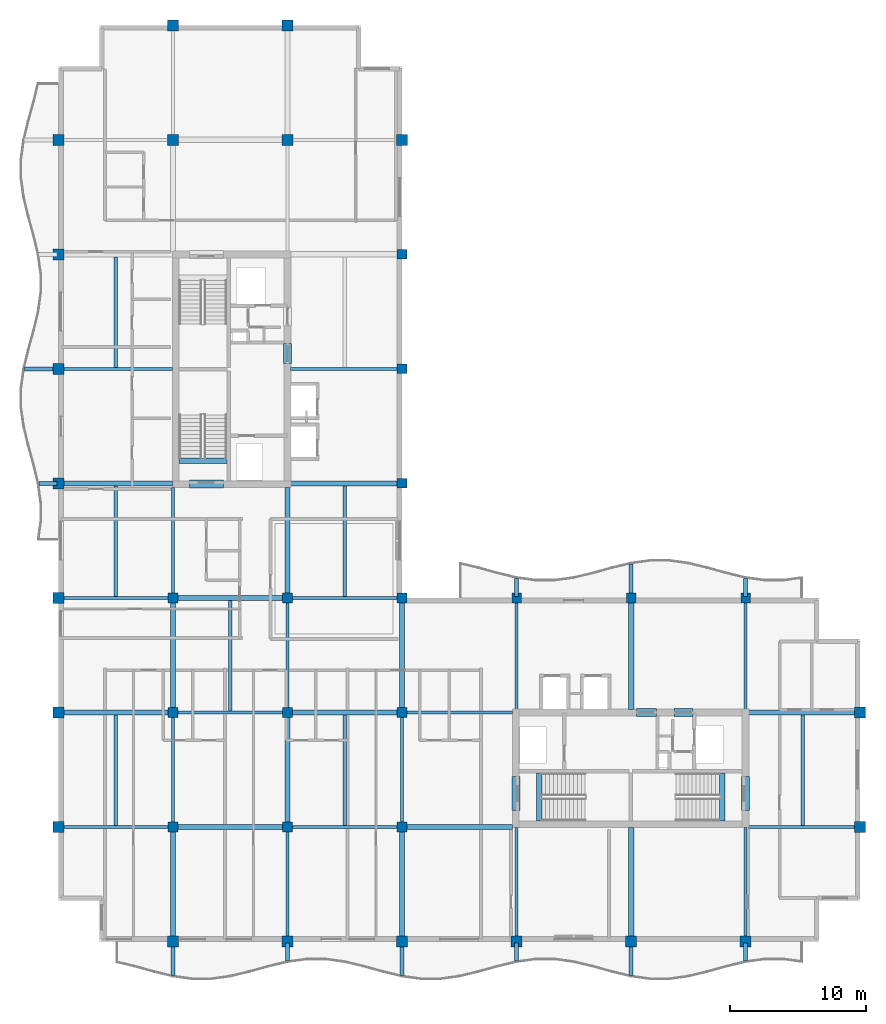
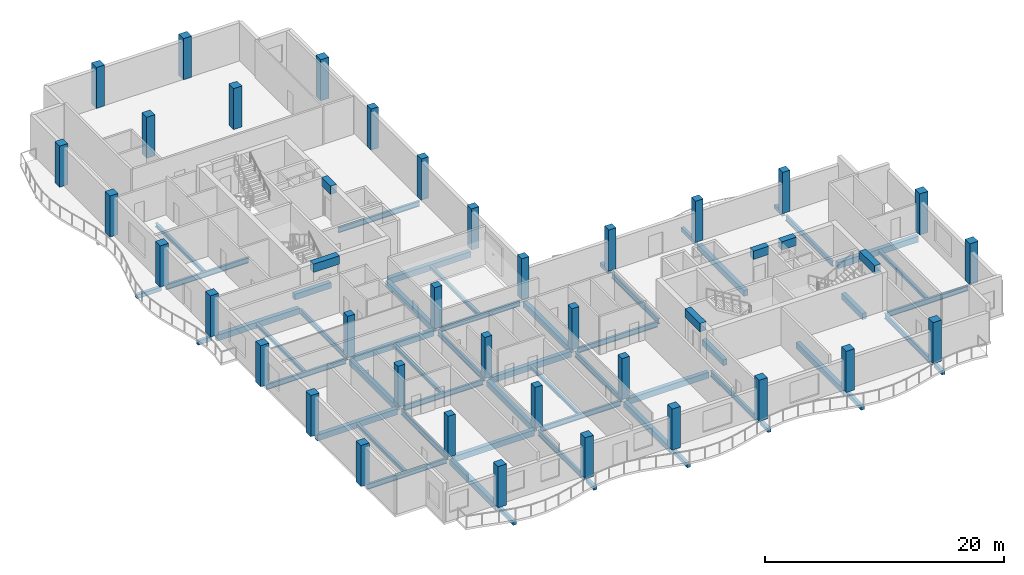
# One storey, part 1 of 11: 61 beams, 35 columns.
"""IFC4 building model written with IfcOpenShell, lengths in metres."""

from ifc_helpers import new_model, si_unit, direction, frame, origin, origin_2d, place, context, subcontext, project, spatial, rectangle, i_section, extrude, material, material_profile, profile_set, type_object, element, save


model = new_model("IFC4")

# Units and contexts
model_context = context("Model", 3, precision=1e-05, world=origin(), true_north=direction((0.0, 1.0)))
body_context = subcontext(model_context, "Body", "Model", "MODEL_VIEW")
ifc_project = project(units=[si_unit("LENGTHUNIT", "METRE"), si_unit("AREAUNIT", "SQUARE_METRE"), si_unit("VOLUMEUNIT", "CUBIC_METRE"), si_unit("PLANEANGLEUNIT", "RADIAN"), si_unit("MASSUNIT", "GRAM", prefix="KILO")], contexts=[model_context])

# Site, building, storey
site_placement = place(None, origin())
site = spatial("IfcSite", under=ifc_project, at=site_placement, CompositionType="ELEMENT")
building_placement = place(site_placement, origin())
building = spatial("IfcBuilding", under=site, at=building_placement, Name="Koriwani Terraces Tower", CompositionType="ELEMENT")
storey_placement = place(building_placement, frame((0.0, 0.0, 359.60009765625)))
storey = spatial("IfcBuildingStorey", under=building, at=storey_placement, Name="L89", CompositionType="ELEMENT", Elevation=359.60009765625)

# Columns
ifc_material_1 = material(Name="Concrete C50/60", Category="concrete")
ifc_material_profile_1 = material_profile(ifc_material_1, rectangle(XDim=0.699951171875, YDim=0.699951171875, at=origin_2d()), Name="Concrete C50/60", Category="LoadBearing")
ifc_profile_set_1 = profile_set([ifc_material_profile_1], Name="Concrete C50/60")
column_type_1 = type_object("IfcColumnType", Name="COL_RC_700X700", PredefinedType="COLUMN", material=ifc_profile_set_1)
for number, where, z_axis, x_axis, name in (
    (1, (16.800048828125, 16.800048828125, 0.0), (0.0, 0.0, 1.0), (1.0, 0.0, 0.0), "L89 Column 3/C"),
    (2, (16.800048828125, 25.199951171875, 0.0), (0.0, 0.0, 1.0), (1.0, 0.0, 0.0), "L89 Column 3/D"),
    (3, (16.800048828125, 33.60009765625, 0.0), (0.0, 0.0, 1.0), (1.0, 0.0, 0.0), "L89 Column 3/E"),
    (4, (25.199951171875, 16.800048828125, 0.0), (0.0, 0.0, 1.0), (1.0, 0.0, 0.0), "L89 Column 4/C"),
    (5, (25.199951171875, 25.199951171875, 0.0), (0.0, 0.0, 1.0), (1.0, 0.0, 0.0), "L89 Column 4/D"),
    (6, (25.199951171875, 33.60009765625, 0.0), (0.0, 0.0, 1.0), (1.0, 0.0, 0.0), "L89 Column 4/E"),
    (7, (33.60009765625, 16.800048828125, 0.0), (0.0, 0.0, 1.0), (1.0, 0.0, 0.0), "L89 Column 5/C"),
    (8, (33.60009765625, 25.199951171875, 0.0), (0.0, 0.0, 1.0), (1.0, 0.0, 0.0), "L89 Column 5/D"),
    (9, (33.60009765625, 33.60009765625, 0.0), (0.0, 0.0, 1.0), (1.0, 0.0, 0.0), "L89 Column 5/E"),
    (10, (33.60009765625, 42.0, 0.0), (0.0, 0.0, 1.0), (1.0, 0.0, 0.0), "L89 Column 5/F"),
    (11, (33.60009765625, 50.39990234375, 0.0), (0.0, 0.0, 1.0), (1.0, 0.0, 0.0), "L89 Column 5/G"),
    (12, (33.60009765625, 58.800048828125, 0.0), (0.0, 0.0, 1.0), (1.0, 0.0, 0.0), "L89 Column 5/H"),
    (13, (42.0, 33.60009765625, 0.0), (0.0, 0.0, 1.0), (1.0, 0.0, 0.0), "L89 Column 6/E"),
    (14, (50.39990234375, 33.60009765625, 0.0), (0.0, 0.0, 1.0), (1.0, 0.0, 0.0), "L89 Column 7/E"),
    (15, (58.800048828125, 33.60009765625, 0.0), (0.0, 0.0, 1.0), (1.0, 0.0, 0.0), "L89 Column 8/E"),
):
    element("IfcColumn", number, at=place(storey_placement, frame(where, z_axis=z_axis, x_axis=x_axis)), inside=storey, type_object=column_type_1, Name=name, PredefinedType="COLUMN", context=body_context, shape_type="SweptSolid", body=[
        extrude(rectangle(XDim=0.699951171875, YDim=0.699951171875, at=origin_2d()), origin(), (0.0, 0.0, 1.0), 4.199951171875),
    ])
ifc_material_profile_2 = material_profile(ifc_material_1, rectangle(XDim=0.800048828125, YDim=0.800048828125, at=origin_2d()), Name="Concrete C50/60", Category="LoadBearing")
ifc_profile_set_2 = profile_set([ifc_material_profile_2], Name="Concrete C50/60")
column_type_2 = type_object("IfcColumnType", Name="COL_RC_800X800", PredefinedType="COLUMN", material=ifc_profile_set_2)
for number, where, z_axis, x_axis, name in (
    (16, (8.39990234375, 16.800048828125, 0.0), (0.0, 0.0, 1.0), (1.0, 0.0, 0.0), "L89 Column 2/C"),
    (17, (8.39990234375, 25.199951171875, 0.0), (0.0, 0.0, 1.0), (1.0, 0.0, 0.0), "L89 Column 2/D"),
    (18, (8.39990234375, 33.60009765625, 0.0), (0.0, 0.0, 1.0), (1.0, 0.0, 0.0), "L89 Column 2/E"),
    (19, (8.39990234375, 42.0, 0.0), (0.0, 0.0, 1.0), (1.0, 0.0, 0.0), "L89 Column 2/F"),
    (20, (8.39990234375, 50.39990234375, 0.0), (0.0, 0.0, 1.0), (1.0, 0.0, 0.0), "L89 Column 2/G"),
    (21, (8.39990234375, 58.800048828125, 0.0), (0.0, 0.0, 1.0), (1.0, 0.0, 0.0), "L89 Column 2/H"),
    (22, (8.39990234375, 67.199951171875, 0.0), (0.0, 0.0, 1.0), (1.0, 0.0, 0.0), "L89 Column 2/I"),
    (23, (16.800048828125, 8.39990234375, 0.0), (0.0, 0.0, 1.0), (1.0, 0.0, 0.0), "L89 Column 3/B"),
    (24, (16.800048828125, 67.199951171875, 0.0), (0.0, 0.0, 1.0), (1.0, 0.0, 0.0), "L89 Column 3/I"),
    (25, (16.800048828125, 75.60009765625, 0.0), (0.0, 0.0, 1.0), (1.0, 0.0, 0.0), "L89 Column 3/J"),
    (26, (25.199951171875, 8.39990234375, 0.0), (0.0, 0.0, 1.0), (1.0, 0.0, 0.0), "L89 Column 4/B"),
    (27, (25.199951171875, 67.199951171875, 0.0), (0.0, 0.0, 1.0), (1.0, 0.0, 0.0), "L89 Column 4/I"),
    (28, (25.199951171875, 75.60009765625, 0.0), (0.0, 0.0, 1.0), (1.0, 0.0, 0.0), "L89 Column 4/J"),
    (29, (33.60009765625, 8.39990234375, 0.0), (0.0, 0.0, 1.0), (1.0, 0.0, 0.0), "L89 Column 5/B"),
    (30, (33.60009765625, 67.199951171875, 0.0), (0.0, 0.0, 1.0), (1.0, 0.0, 0.0), "L89 Column 5/I"),
    (31, (42.0, 8.39990234375, 0.0), (0.0, 0.0, 1.0), (1.0, 0.0, 0.0), "L89 Column 6/B"),
    (32, (50.39990234375, 8.39990234375, 0.0), (0.0, 0.0, 1.0), (1.0, 0.0, 0.0), "L89 Column 7/B"),
    (33, (58.800048828125, 8.39990234375, 0.0), (0.0, 0.0, 1.0), (1.0, 0.0, 0.0), "L89 Column 8/B"),
    (34, (67.199951171875, 16.800048828125, 0.0), (0.0, 0.0, 1.0), (1.0, 0.0, 0.0), "L89 Column 9/C"),
    (35, (67.199951171875, 25.199951171875, 0.0), (0.0, 0.0, 1.0), (1.0, 0.0, 0.0), "L89 Column 9/D"),
):
    element("IfcColumn", number, at=place(storey_placement, frame(where, z_axis=z_axis, x_axis=x_axis)), inside=storey, type_object=column_type_2, Name=name, PredefinedType="COLUMN", context=body_context, shape_type="SweptSolid", body=[
        extrude(rectangle(XDim=0.800048828125, YDim=0.800048828125, at=origin_2d()), origin(), (0.0, 0.0, 1.0), 4.199951171875),
    ])

# Beams
ifc_material_2 = material(Name="Concrete C40/50", Category="concrete")
ifc_material_profile_3 = material_profile(ifc_material_2, rectangle(XDim=0.300048828125, YDim=0.39990234375, at=origin_2d()), Name="Concrete C40/50", Category="LoadBearing")
ifc_profile_set_3 = profile_set([ifc_material_profile_3], Name="Concrete C40/50")
beam_type_1 = type_object("IfcBeamType", Name="BEAM_RC_BALCONY_RIB_300X400", PredefinedType="JOIST", material=ifc_profile_set_3)
beam_1_placement = place(storey_placement, frame((16.800048828125, 5.919677734375, -0.43017578125), z_axis=(0.0, 1.0, 0.0), x_axis=(-1.0, 0.0, 0.0)))
element("IfcBeam", 36, at=beam_1_placement, inside=storey, type_object=beam_type_1, Name="L89 Balcony Bracket Rib S-1", PredefinedType="JOIST", context=body_context, shape_type="SweptSolid", body=[
    extrude(rectangle(XDim=0.300048828125, YDim=0.39990234375, at=origin_2d()), origin(), (0.0, 0.0, 1.0), 2.38037109375),
])
beam_2_placement = place(storey_placement, frame((25.199951171875, 6.980224609375, -0.43017578125), z_axis=(0.0, 1.0, 0.0), x_axis=(-1.0, 0.0, 0.0)))
element("IfcBeam", 37, at=beam_2_placement, inside=storey, type_object=beam_type_1, Name="L89 Balcony Bracket Rib S-2", PredefinedType="JOIST", context=body_context, shape_type="SweptSolid", body=[
    extrude(rectangle(XDim=0.300048828125, YDim=0.39990234375, at=origin_2d()), origin(), (0.0, 0.0, 1.0), 1.31982421875),
])
beam_3_placement = place(storey_placement, frame((33.60009765625, 5.919677734375, -0.43017578125), z_axis=(0.0, 1.0, 0.0), x_axis=(-1.0, 0.0, 0.0)))
element("IfcBeam", 38, at=beam_3_placement, inside=storey, type_object=beam_type_1, Name="L89 Balcony Bracket Rib S-3", PredefinedType="JOIST", context=body_context, shape_type="SweptSolid", body=[
    extrude(rectangle(XDim=0.300048828125, YDim=0.39990234375, at=origin_2d()), origin(), (0.0, 0.0, 1.0), 2.38037109375),
])
beam_4_placement = place(storey_placement, frame((42.0, 6.980224609375, -0.43017578125), z_axis=(0.0, 1.0, 0.0), x_axis=(-1.0, 0.0, 0.0)))
element("IfcBeam", 39, at=beam_4_placement, inside=storey, type_object=beam_type_1, Name="L89 Balcony Bracket Rib S-4", PredefinedType="JOIST", context=body_context, shape_type="SweptSolid", body=[
    extrude(rectangle(XDim=0.300048828125, YDim=0.39990234375, at=origin_2d()), origin(), (0.0, 0.0, 1.0), 1.31982421875),
])
beam_5_placement = place(storey_placement, frame((50.39990234375, 5.919677734375, -0.43017578125), z_axis=(0.0, 1.0, 0.0), x_axis=(-1.0, 0.0, 0.0)))
element("IfcBeam", 40, at=beam_5_placement, inside=storey, type_object=beam_type_1, Name="L89 Balcony Bracket Rib S-5", PredefinedType="JOIST", context=body_context, shape_type="SweptSolid", body=[
    extrude(rectangle(XDim=0.300048828125, YDim=0.39990234375, at=origin_2d()), origin(), (0.0, 0.0, 1.0), 2.38037109375),
])
for number, where, z_axis, x_axis, name in (
    (41, (58.800048828125, 6.980224609375, -0.43017578125), (0.0, 1.0, 0.0), (-1.0, 0.0, 0.0), "L89 Balcony Bracket Rib S-6"),
    (42, (6.980224609375, 42.0, -0.43017578125), (1.0, 0.0, 0.0), (0.0, 1.0, 0.0), "L89 Balcony Bracket Rib W-1"),
):
    element("IfcBeam", number, at=place(storey_placement, frame(where, z_axis=z_axis, x_axis=x_axis)), inside=storey, type_object=beam_type_1, Name=name, PredefinedType="JOIST", context=body_context, shape_type="SweptSolid", body=[
        extrude(rectangle(XDim=0.300048828125, YDim=0.39990234375, at=origin_2d()), origin(), (0.0, 0.0, 1.0), 1.31982421875),
    ])
beam_6_placement = place(storey_placement, frame((5.919677734375, 50.39990234375, -0.43017578125), z_axis=(1.0, 0.0, 0.0), x_axis=(0.0, 1.0, 0.0)))
element("IfcBeam", 43, at=beam_6_placement, inside=storey, type_object=beam_type_1, Name="L89 Balcony Bracket Rib W-2", PredefinedType="JOIST", context=body_context, shape_type="SweptSolid", body=[
    extrude(rectangle(XDim=0.300048828125, YDim=0.39990234375, at=origin_2d()), origin(), (0.0, 0.0, 1.0), 2.38037109375),
])
beam_7_placement = place(storey_placement, frame((42.0, 33.699951171875, -0.43017578125), z_axis=(0.0, 1.0, 0.0), x_axis=(-1.0, 0.0, 0.0)))
element("IfcBeam", 44, at=beam_7_placement, inside=storey, type_object=beam_type_1, Name="L89 Balcony Bracket Rib NE-1", PredefinedType="JOIST", context=body_context, shape_type="SweptSolid", body=[
    extrude(rectangle(XDim=0.300048828125, YDim=0.39990234375, at=origin_2d()), origin(), (0.0, 0.0, 1.0), 1.31982421875),
])
beam_8_placement = place(storey_placement, frame((50.39990234375, 33.699951171875, -0.43017578125), z_axis=(0.0, 1.0, 0.0), x_axis=(-1.0, 0.0, 0.0)))
element("IfcBeam", 45, at=beam_8_placement, inside=storey, type_object=beam_type_1, Name="L89 Balcony Bracket Rib NE-2", PredefinedType="JOIST", context=body_context, shape_type="SweptSolid", body=[
    extrude(rectangle(XDim=0.300048828125, YDim=0.39990234375, at=origin_2d()), origin(), (0.0, 0.0, 1.0), 2.38037109375),
])
beam_9_placement = place(storey_placement, frame((58.800048828125, 33.699951171875, -0.43017578125), z_axis=(0.0, 1.0, 0.0), x_axis=(-1.0, 0.0, 0.0)))
element("IfcBeam", 46, at=beam_9_placement, inside=storey, type_object=beam_type_1, Name="L89 Balcony Bracket Rib NE-3", PredefinedType="JOIST", context=body_context, shape_type="SweptSolid", body=[
    extrude(rectangle(XDim=0.300048828125, YDim=0.39990234375, at=origin_2d()), origin(), (0.0, 0.0, 1.0), 1.31982421875),
])
ifc_material_profile_4 = material_profile(ifc_material_1, rectangle(XDim=0.60009765625, YDim=0.85009765625, at=origin_2d()), Name="Concrete C50/60", Category="LoadBearing")
ifc_profile_set_4 = profile_set([ifc_material_profile_4], Name="Concrete C50/60")
beam_type_2 = type_object("IfcBeamType", Name="BEAM_RC_COUPLING_600X850", PredefinedType="LINTEL", material=ifc_profile_set_4)
beam_10_placement = place(storey_placement, frame((25.199951171875, 50.800048828125, 3.474853515625), z_axis=(0.0, 1.0, 0.0), x_axis=(-1.0, 0.0, 0.0)))
element("IfcBeam", 47, at=beam_10_placement, inside=storey, type_object=beam_type_2, Name="L89 Core Coupling Lintel Beam WE1", PredefinedType="LINTEL", context=body_context, shape_type="SweptSolid", body=[
    extrude(rectangle(XDim=0.60009765625, YDim=0.85009765625, at=origin_2d()), origin(), (0.0, 0.0, 1.0), 1.47998046875),
])
beam_11_placement = place(storey_placement, frame((18.0, 41.949951171875, 3.474853515625), z_axis=(1.0, 0.0, 0.0), x_axis=(0.0, 1.0, 0.0)))
element("IfcBeam", 48, at=beam_11_placement, inside=storey, type_object=beam_type_2, Name="L89 Core Coupling Lintel Beam WS", PredefinedType="LINTEL", context=body_context, shape_type="SweptSolid", body=[
    extrude(rectangle(XDim=0.60009765625, YDim=0.85009765625, at=origin_2d()), origin(), (0.0, 0.0, 1.0), 2.5),
])
beam_12_placement = place(storey_placement, frame((50.800048828125, 25.199951171875, 3.474853515625), z_axis=(1.0, 0.0, 0.0), x_axis=(0.0, 1.0, 0.0)))
element("IfcBeam", 49, at=beam_12_placement, inside=storey, type_object=beam_type_2, Name="L89 Core Coupling Lintel Beam EN1", PredefinedType="LINTEL", context=body_context, shape_type="SweptSolid", body=[
    extrude(rectangle(XDim=0.60009765625, YDim=0.85009765625, at=origin_2d()), origin(), (0.0, 0.0, 1.0), 1.47998046875),
])
beam_13_placement = place(storey_placement, frame((53.550048828125, 25.199951171875, 3.474853515625), z_axis=(1.0, 0.0, 0.0), x_axis=(0.0, 1.0, 0.0)))
element("IfcBeam", 50, at=beam_13_placement, inside=storey, type_object=beam_type_2, Name="L89 Core Coupling Lintel Beam EN2", PredefinedType="LINTEL", context=body_context, shape_type="SweptSolid", body=[
    extrude(rectangle(XDim=0.60009765625, YDim=0.85009765625, at=origin_2d()), origin(), (0.0, 0.0, 1.0), 1.39990234375),
])
for number, where, z_axis, x_axis, name in (
    (51, (41.949951171875, 18.0, 3.474853515625), (0.0, 1.0, 0.0), (-1.0, 0.0, 0.0), "L89 Core Coupling Lintel Beam EW"),
    (52, (58.800048828125, 18.0, 3.474853515625), (0.0, 1.0, 0.0), (-1.0, 0.0, 0.0), "L89 Core Coupling Lintel Beam EE"),
):
    element("IfcBeam", number, at=place(storey_placement, frame(where, z_axis=z_axis, x_axis=x_axis)), inside=storey, type_object=beam_type_2, Name=name, PredefinedType="LINTEL", context=body_context, shape_type="SweptSolid", body=[
        extrude(rectangle(XDim=0.60009765625, YDim=0.85009765625, at=origin_2d()), origin(), (0.0, 0.0, 1.0), 2.5),
    ])
ifc_material_profile_5 = material_profile(ifc_material_2, rectangle(XDim=0.39990234375, YDim=0.60009765625, at=origin_2d()), Name="Concrete C40/50", Category="LoadBearing")
ifc_profile_set_5 = profile_set([ifc_material_profile_5], Name="Concrete C40/50")
beam_type_3 = type_object("IfcBeamType", Name="BEAM_RC_GRID_400X600", PredefinedType="BEAM", material=ifc_profile_set_5)
for number, where, z_axis, x_axis, name in (
    (53, (17.25, 43.655029296875, -0.300048828125), (1.0, 0.0, 0.0), (0.0, 1.0, 0.0), "L89 Stairwell Header Trimmer Beam ST-W1"),
    (54, (43.655029296875, 17.25, -0.300048828125), (0.0, 1.0, 0.0), (-1.0, 0.0, 0.0), "L89 Stairwell Header Trimmer Beam ST-E1"),
    (55, (57.094970703125, 17.25, -0.300048828125), (0.0, 1.0, 0.0), (-1.0, 0.0, 0.0), "L89 Stairwell Header Trimmer Beam ST-E2"),
):
    element("IfcBeam", number, at=place(storey_placement, frame(where, z_axis=z_axis, x_axis=x_axis)), inside=storey, type_object=beam_type_3, Name=name, PredefinedType="BEAM", context=body_context, shape_type="SweptSolid", body=[
        extrude(rectangle(XDim=0.39990234375, YDim=0.60009765625, at=origin_2d()), origin(), (0.0, 0.0, 1.0), 3.5),
    ])
beam_14_placement = place(storey_placement, frame((17.1298828125, 16.800048828125, -0.530029296875), z_axis=(1.0, 0.0, 0.0), x_axis=(0.0, 1.0, 0.0)))
element("IfcBeam", 56, at=beam_14_placement, inside=storey, type_object=beam_type_3, Name="L89 Grid Beam C (16.8-25.2m)", PredefinedType="BEAM", context=body_context, shape_type="SweptSolid", body=[
    extrude(rectangle(XDim=0.39990234375, YDim=0.60009765625, at=origin_2d()), origin(), (0.0, 0.0, 1.0), 7.740234375),
])
beam_15_placement = place(storey_placement, frame((33.929931640625, 16.800048828125, -0.530029296875), z_axis=(1.0, 0.0, 0.0), x_axis=(0.0, 1.0, 0.0)))
element("IfcBeam", 57, at=beam_15_placement, inside=storey, type_object=beam_type_3, Name="L89 Grid Beam C (33.6-42.0m)", PredefinedType="BEAM", context=body_context, shape_type="SweptSolid", body=[
    extrude(rectangle(XDim=0.39990234375, YDim=0.60009765625, at=origin_2d()), origin(), (0.0, 0.0, 1.0), 7.7900390625),
])
beam_16_placement = place(storey_placement, frame((8.780029296875, 25.199951171875, -0.530029296875), z_axis=(1.0, 0.0, 0.0), x_axis=(0.0, 1.0, 0.0)))
element("IfcBeam", 58, at=beam_16_placement, inside=storey, type_object=beam_type_3, Name="L89 Grid Beam D (8.4-16.8m)", PredefinedType="BEAM", context=body_context, shape_type="SweptSolid", body=[
    extrude(rectangle(XDim=0.39990234375, YDim=0.60009765625, at=origin_2d()), origin(), (0.0, 0.0, 1.0), 7.68994140625),
])
beam_17_placement = place(storey_placement, frame((25.530029296875, 25.199951171875, -0.530029296875), z_axis=(1.0, 0.0, 0.0), x_axis=(0.0, 1.0, 0.0)))
element("IfcBeam", 59, at=beam_17_placement, inside=storey, type_object=beam_type_3, Name="L89 Grid Beam D (25.2-33.6m)", PredefinedType="BEAM", context=body_context, shape_type="SweptSolid", body=[
    extrude(rectangle(XDim=0.39990234375, YDim=0.60009765625, at=origin_2d()), origin(), (0.0, 0.0, 1.0), 7.739990234375),
])
beam_18_placement = place(storey_placement, frame((59.030029296875, 25.199951171875, -0.530029296875), z_axis=(1.0, 0.0, 0.0), x_axis=(0.0, 1.0, 0.0)))
element("IfcBeam", 60, at=beam_18_placement, inside=storey, type_object=beam_type_3, Name="L89 Grid Beam D (58.8-67.2m)", PredefinedType="BEAM", context=body_context, shape_type="SweptSolid", body=[
    extrude(rectangle(XDim=0.39990234375, YDim=0.60009765625, at=origin_2d()), origin(), (0.0, 0.0, 1.0), 7.7900390625),
])
beam_19_placement = place(storey_placement, frame((17.1298828125, 33.60009765625, -0.530029296875), z_axis=(1.0, 0.0, 0.0), x_axis=(0.0, 1.0, 0.0)))
element("IfcBeam", 61, at=beam_19_placement, inside=storey, type_object=beam_type_3, Name="L89 Grid Beam E (16.8-25.2m)", PredefinedType="BEAM", context=body_context, shape_type="SweptSolid", body=[
    extrude(rectangle(XDim=0.39990234375, YDim=0.60009765625, at=origin_2d()), origin(), (0.0, 0.0, 1.0), 7.740234375),
])
beam_20_placement = place(storey_placement, frame((8.780029296875, 42.0, -0.530029296875), z_axis=(1.0, 0.0, 0.0), x_axis=(0.0, 1.0, 0.0)))
element("IfcBeam", 62, at=beam_20_placement, inside=storey, type_object=beam_type_3, Name="L89 Grid Beam F (8.4-16.8m)", PredefinedType="BEAM", context=body_context, shape_type="SweptSolid", body=[
    extrude(rectangle(XDim=0.39990234375, YDim=0.60009765625, at=origin_2d()), origin(), (0.0, 0.0, 1.0), 7.989990234375),
])
beam_21_placement = place(storey_placement, frame((25.429931640625, 42.0, -0.530029296875), z_axis=(1.0, 0.0, 0.0), x_axis=(0.0, 1.0, 0.0)))
element("IfcBeam", 63, at=beam_21_placement, inside=storey, type_object=beam_type_3, Name="L89 Grid Beam F (25.2-33.6m)", PredefinedType="BEAM", context=body_context, shape_type="SweptSolid", body=[
    extrude(rectangle(XDim=0.39990234375, YDim=0.60009765625, at=origin_2d()), origin(), (0.0, 0.0, 1.0), 7.840087890625),
])
beam_22_placement = place(storey_placement, frame((16.800048828125, 8.780029296875, -0.530029296875), z_axis=(0.0, 1.0, 0.0), x_axis=(-1.0, 0.0, 0.0)))
element("IfcBeam", 64, at=beam_22_placement, inside=storey, type_object=beam_type_3, Name="L89 Grid Beam 3 (8.4-16.8m)", PredefinedType="BEAM", context=body_context, shape_type="SweptSolid", body=[
    extrude(rectangle(XDim=0.39990234375, YDim=0.60009765625, at=origin_2d()), origin(), (0.0, 0.0, 1.0), 7.68994140625),
])
beam_23_placement = place(storey_placement, frame((16.800048828125, 25.530029296875, -0.530029296875), z_axis=(0.0, 1.0, 0.0), x_axis=(-1.0, 0.0, 0.0)))
element("IfcBeam", 65, at=beam_23_placement, inside=storey, type_object=beam_type_3, Name="L89 Grid Beam 3 (25.2-33.6m)", PredefinedType="BEAM", context=body_context, shape_type="SweptSolid", body=[
    extrude(rectangle(XDim=0.39990234375, YDim=0.60009765625, at=origin_2d()), origin(), (0.0, 0.0, 1.0), 7.739990234375),
])
beam_24_placement = place(storey_placement, frame((25.199951171875, 17.1298828125, -0.530029296875), z_axis=(0.0, 1.0, 0.0), x_axis=(-1.0, 0.0, 0.0)))
element("IfcBeam", 66, at=beam_24_placement, inside=storey, type_object=beam_type_3, Name="L89 Grid Beam 4 (16.8-25.2m)", PredefinedType="BEAM", context=body_context, shape_type="SweptSolid", body=[
    extrude(rectangle(XDim=0.39990234375, YDim=0.60009765625, at=origin_2d()), origin(), (0.0, 0.0, 1.0), 7.740234375),
])
beam_25_placement = place(storey_placement, frame((25.199951171875, 33.929931640625, -0.530029296875), z_axis=(0.0, 1.0, 0.0), x_axis=(-1.0, 0.0, 0.0)))
element("IfcBeam", 67, at=beam_25_placement, inside=storey, type_object=beam_type_3, Name="L89 Grid Beam 4 (33.6-42.0m)", PredefinedType="BEAM", context=body_context, shape_type="SweptSolid", body=[
    extrude(rectangle(XDim=0.39990234375, YDim=0.60009765625, at=origin_2d()), origin(), (0.0, 0.0, 1.0), 7.7900390625),
])
beam_26_placement = place(storey_placement, frame((33.60009765625, 8.780029296875, -0.530029296875), z_axis=(0.0, 1.0, 0.0), x_axis=(-1.0, 0.0, 0.0)))
element("IfcBeam", 68, at=beam_26_placement, inside=storey, type_object=beam_type_3, Name="L89 Grid Beam 5 (8.4-16.8m)", PredefinedType="BEAM", context=body_context, shape_type="SweptSolid", body=[
    extrude(rectangle(XDim=0.39990234375, YDim=0.60009765625, at=origin_2d()), origin(), (0.0, 0.0, 1.0), 7.68994140625),
])
beam_27_placement = place(storey_placement, frame((33.60009765625, 25.530029296875, -0.530029296875), z_axis=(0.0, 1.0, 0.0), x_axis=(-1.0, 0.0, 0.0)))
element("IfcBeam", 69, at=beam_27_placement, inside=storey, type_object=beam_type_3, Name="L89 Grid Beam 5 (25.2-33.6m)", PredefinedType="BEAM", context=body_context, shape_type="SweptSolid", body=[
    extrude(rectangle(XDim=0.39990234375, YDim=0.60009765625, at=origin_2d()), origin(), (0.0, 0.0, 1.0), 7.739990234375),
])
beam_28_placement = place(storey_placement, frame((50.39990234375, 8.780029296875, -0.530029296875), z_axis=(0.0, 1.0, 0.0), x_axis=(-1.0, 0.0, 0.0)))
element("IfcBeam", 70, at=beam_28_placement, inside=storey, type_object=beam_type_3, Name="L89 Grid Beam 7 (8.4-16.8m)", PredefinedType="BEAM", context=body_context, shape_type="SweptSolid", body=[
    extrude(rectangle(XDim=0.39990234375, YDim=0.60009765625, at=origin_2d()), origin(), (0.0, 0.0, 1.0), 7.989990234375),
])
beam_29_placement = place(storey_placement, frame((50.39990234375, 25.429931640625, -0.530029296875), z_axis=(0.0, 1.0, 0.0), x_axis=(-1.0, 0.0, 0.0)))
element("IfcBeam", 71, at=beam_29_placement, inside=storey, type_object=beam_type_3, Name="L89 Grid Beam 7 (25.2-33.6m)", PredefinedType="BEAM", context=body_context, shape_type="SweptSolid", body=[
    extrude(rectangle(XDim=0.39990234375, YDim=0.60009765625, at=origin_2d()), origin(), (0.0, 0.0, 1.0), 7.840087890625),
])
ifc_material_3 = material(Name="Steel ASTM A572 Grade 50", Category="steel")
ifc_material_profile_6 = material_profile(ifc_material_3, i_section(OverallWidth=0.257080078125, OverallDepth=0.363037109375, WebThickness=0.012939453125, FlangeThickness=0.021728515625, at=origin_2d()), Name="Steel ASTM A572 Grade 50", Category="LoadBearing")
ifc_profile_set_6 = profile_set([ifc_material_profile_6], Name="Steel ASTM A572 Grade 50")
beam_type_4 = type_object("IfcBeamType", Name="STEEL_BEAM_W360X122", PredefinedType="JOIST", material=ifc_profile_set_6)
for number, where, z_axis, x_axis, name in (
    (72, (12.60009765625, 16.8955078125, -0.41162109375), (0.0, 1.0, 0.0), (-1.0, 0.0, 0.0), "L89 Secondary Steel Floor Joist X=12.6m"),
    (73, (12.60009765625, 33.695556640625, -0.41162109375), (0.0, 1.0, 0.0), (-1.0, 0.0, 0.0), "L89 Secondary Steel Floor Joist X=12.6m"),
    (74, (12.60009765625, 50.49560546875, -0.41162109375), (0.0, 1.0, 0.0), (-1.0, 0.0, 0.0), "L89 Secondary Steel Floor Joist X=12.6m"),
    (75, (21.0, 25.29541015625, -0.41162109375), (0.0, 1.0, 0.0), (-1.0, 0.0, 0.0), "L89 Secondary Steel Floor Joist X=21.0m"),
    (76, (29.39990234375, 16.8955078125, -0.41162109375), (0.0, 1.0, 0.0), (-1.0, 0.0, 0.0), "L89 Secondary Steel Floor Joist X=29.4m"),
    (77, (29.39990234375, 33.695556640625, -0.41162109375), (0.0, 1.0, 0.0), (-1.0, 0.0, 0.0), "L89 Secondary Steel Floor Joist X=29.4m"),
    (78, (63.0, 16.8955078125, -0.41162109375), (0.0, 1.0, 0.0), (-1.0, 0.0, 0.0), "L89 Secondary Steel Floor Joist X=63.0m"),
):
    element("IfcBeam", number, at=place(storey_placement, frame(where, z_axis=z_axis, x_axis=x_axis)), inside=storey, type_object=beam_type_4, Name=name, PredefinedType="JOIST", context=body_context, shape_type="SweptSolid", body=[
        extrude(i_section(OverallWidth=0.257080078125, OverallDepth=0.363037109375, WebThickness=0.012939453125, FlangeThickness=0.021728515625, at=origin_2d()), origin(), (0.0, 0.0, 1.0), 8.114501953125),
    ])
ifc_material_profile_7 = material_profile(ifc_material_3, i_section(OverallWidth=0.2109375, OverallDepth=0.5390625, WebThickness=0.01171875, FlangeThickness=0.018798828125, at=origin_2d()), Name="Steel ASTM A572 Grade 50", Category="LoadBearing")
ifc_profile_set_7 = profile_set([ifc_material_profile_7], Name="Steel ASTM A572 Grade 50")
beam_type_5 = type_object("IfcBeamType", Name="STEEL_BEAM_W530X109", PredefinedType="BEAM", material=ifc_profile_set_7)
beam_30_placement = place(storey_placement, frame((8.780029296875, 16.800048828125, -0.49951171875), z_axis=(1.0, 0.0, 0.0), x_axis=(0.0, 1.0, 0.0)))
element("IfcBeam", 79, at=beam_30_placement, inside=storey, type_object=beam_type_5, Name="L89 Grid Beam C (8.4-16.8m)", PredefinedType="BEAM", context=body_context, shape_type="SweptSolid", body=[
    extrude(i_section(OverallWidth=0.2109375, OverallDepth=0.5390625, WebThickness=0.01171875, FlangeThickness=0.018798828125, at=origin_2d()), origin(), (0.0, 0.0, 1.0), 7.68994140625),
])
beam_31_placement = place(storey_placement, frame((25.530029296875, 16.800048828125, -0.49951171875), z_axis=(1.0, 0.0, 0.0), x_axis=(0.0, 1.0, 0.0)))
element("IfcBeam", 80, at=beam_31_placement, inside=storey, type_object=beam_type_5, Name="L89 Grid Beam C (25.2-33.6m)", PredefinedType="BEAM", context=body_context, shape_type="SweptSolid", body=[
    extrude(i_section(OverallWidth=0.2109375, OverallDepth=0.5390625, WebThickness=0.01171875, FlangeThickness=0.018798828125, at=origin_2d()), origin(), (0.0, 0.0, 1.0), 7.739990234375),
])
beam_32_placement = place(storey_placement, frame((59.030029296875, 16.800048828125, -0.49951171875), z_axis=(1.0, 0.0, 0.0), x_axis=(0.0, 1.0, 0.0)))
element("IfcBeam", 81, at=beam_32_placement, inside=storey, type_object=beam_type_5, Name="L89 Grid Beam C (58.8-67.2m)", PredefinedType="BEAM", context=body_context, shape_type="SweptSolid", body=[
    extrude(i_section(OverallWidth=0.2109375, OverallDepth=0.5390625, WebThickness=0.01171875, FlangeThickness=0.018798828125, at=origin_2d()), origin(), (0.0, 0.0, 1.0), 7.7900390625),
])
beam_33_placement = place(storey_placement, frame((17.1298828125, 25.199951171875, -0.49951171875), z_axis=(1.0, 0.0, 0.0), x_axis=(0.0, 1.0, 0.0)))
element("IfcBeam", 82, at=beam_33_placement, inside=storey, type_object=beam_type_5, Name="L89 Grid Beam D (16.8-25.2m)", PredefinedType="BEAM", context=body_context, shape_type="SweptSolid", body=[
    extrude(i_section(OverallWidth=0.2109375, OverallDepth=0.5390625, WebThickness=0.01171875, FlangeThickness=0.018798828125, at=origin_2d()), origin(), (0.0, 0.0, 1.0), 7.740234375),
])
beam_34_placement = place(storey_placement, frame((33.929931640625, 25.199951171875, -0.49951171875), z_axis=(1.0, 0.0, 0.0), x_axis=(0.0, 1.0, 0.0)))
element("IfcBeam", 83, at=beam_34_placement, inside=storey, type_object=beam_type_5, Name="L89 Grid Beam D (33.6-42.0m)", PredefinedType="BEAM", context=body_context, shape_type="SweptSolid", body=[
    extrude(i_section(OverallWidth=0.2109375, OverallDepth=0.5390625, WebThickness=0.01171875, FlangeThickness=0.018798828125, at=origin_2d()), origin(), (0.0, 0.0, 1.0), 7.7900390625),
])
beam_35_placement = place(storey_placement, frame((8.780029296875, 33.60009765625, -0.49951171875), z_axis=(1.0, 0.0, 0.0), x_axis=(0.0, 1.0, 0.0)))
element("IfcBeam", 84, at=beam_35_placement, inside=storey, type_object=beam_type_5, Name="L89 Grid Beam E (8.4-16.8m)", PredefinedType="BEAM", context=body_context, shape_type="SweptSolid", body=[
    extrude(i_section(OverallWidth=0.2109375, OverallDepth=0.5390625, WebThickness=0.01171875, FlangeThickness=0.018798828125, at=origin_2d()), origin(), (0.0, 0.0, 1.0), 7.68994140625),
])
beam_36_placement = place(storey_placement, frame((25.530029296875, 33.60009765625, -0.49951171875), z_axis=(1.0, 0.0, 0.0), x_axis=(0.0, 1.0, 0.0)))
element("IfcBeam", 85, at=beam_36_placement, inside=storey, type_object=beam_type_5, Name="L89 Grid Beam E (25.2-33.6m)", PredefinedType="BEAM", context=body_context, shape_type="SweptSolid", body=[
    extrude(i_section(OverallWidth=0.2109375, OverallDepth=0.5390625, WebThickness=0.01171875, FlangeThickness=0.018798828125, at=origin_2d()), origin(), (0.0, 0.0, 1.0), 7.739990234375),
])
beam_37_placement = place(storey_placement, frame((8.780029296875, 50.39990234375, -0.49951171875), z_axis=(1.0, 0.0, 0.0), x_axis=(0.0, 1.0, 0.0)))
element("IfcBeam", 86, at=beam_37_placement, inside=storey, type_object=beam_type_5, Name="L89 Grid Beam G (8.4-16.8m)", PredefinedType="BEAM", context=body_context, shape_type="SweptSolid", body=[
    extrude(i_section(OverallWidth=0.2109375, OverallDepth=0.5390625, WebThickness=0.01171875, FlangeThickness=0.018798828125, at=origin_2d()), origin(), (0.0, 0.0, 1.0), 7.989990234375),
])
beam_38_placement = place(storey_placement, frame((25.429931640625, 50.39990234375, -0.49951171875), z_axis=(1.0, 0.0, 0.0), x_axis=(0.0, 1.0, 0.0)))
element("IfcBeam", 87, at=beam_38_placement, inside=storey, type_object=beam_type_5, Name="L89 Grid Beam G (25.2-33.6m)", PredefinedType="BEAM", context=body_context, shape_type="SweptSolid", body=[
    extrude(i_section(OverallWidth=0.2109375, OverallDepth=0.5390625, WebThickness=0.01171875, FlangeThickness=0.018798828125, at=origin_2d()), origin(), (0.0, 0.0, 1.0), 7.840087890625),
])
beam_39_placement = place(storey_placement, frame((16.800048828125, 17.1298828125, -0.49951171875), z_axis=(0.0, 1.0, 0.0), x_axis=(-1.0, 0.0, 0.0)))
element("IfcBeam", 88, at=beam_39_placement, inside=storey, type_object=beam_type_5, Name="L89 Grid Beam 3 (16.8-25.2m)", PredefinedType="BEAM", context=body_context, shape_type="SweptSolid", body=[
    extrude(i_section(OverallWidth=0.2109375, OverallDepth=0.5390625, WebThickness=0.01171875, FlangeThickness=0.018798828125, at=origin_2d()), origin(), (0.0, 0.0, 1.0), 7.740234375),
])
beam_40_placement = place(storey_placement, frame((16.800048828125, 33.929931640625, -0.49951171875), z_axis=(0.0, 1.0, 0.0), x_axis=(-1.0, 0.0, 0.0)))
element("IfcBeam", 89, at=beam_40_placement, inside=storey, type_object=beam_type_5, Name="L89 Grid Beam 3 (33.6-42.0m)", PredefinedType="BEAM", context=body_context, shape_type="SweptSolid", body=[
    extrude(i_section(OverallWidth=0.2109375, OverallDepth=0.5390625, WebThickness=0.01171875, FlangeThickness=0.018798828125, at=origin_2d()), origin(), (0.0, 0.0, 1.0), 7.7900390625),
])
beam_41_placement = place(storey_placement, frame((25.199951171875, 8.780029296875, -0.49951171875), z_axis=(0.0, 1.0, 0.0), x_axis=(-1.0, 0.0, 0.0)))
element("IfcBeam", 90, at=beam_41_placement, inside=storey, type_object=beam_type_5, Name="L89 Grid Beam 4 (8.4-16.8m)", PredefinedType="BEAM", context=body_context, shape_type="SweptSolid", body=[
    extrude(i_section(OverallWidth=0.2109375, OverallDepth=0.5390625, WebThickness=0.01171875, FlangeThickness=0.018798828125, at=origin_2d()), origin(), (0.0, 0.0, 1.0), 7.68994140625),
])
beam_42_placement = place(storey_placement, frame((25.199951171875, 25.530029296875, -0.49951171875), z_axis=(0.0, 1.0, 0.0), x_axis=(-1.0, 0.0, 0.0)))
element("IfcBeam", 91, at=beam_42_placement, inside=storey, type_object=beam_type_5, Name="L89 Grid Beam 4 (25.2-33.6m)", PredefinedType="BEAM", context=body_context, shape_type="SweptSolid", body=[
    extrude(i_section(OverallWidth=0.2109375, OverallDepth=0.5390625, WebThickness=0.01171875, FlangeThickness=0.018798828125, at=origin_2d()), origin(), (0.0, 0.0, 1.0), 7.739990234375),
])
beam_43_placement = place(storey_placement, frame((33.60009765625, 17.1298828125, -0.49951171875), z_axis=(0.0, 1.0, 0.0), x_axis=(-1.0, 0.0, 0.0)))
element("IfcBeam", 92, at=beam_43_placement, inside=storey, type_object=beam_type_5, Name="L89 Grid Beam 5 (16.8-25.2m)", PredefinedType="BEAM", context=body_context, shape_type="SweptSolid", body=[
    extrude(i_section(OverallWidth=0.2109375, OverallDepth=0.5390625, WebThickness=0.01171875, FlangeThickness=0.018798828125, at=origin_2d()), origin(), (0.0, 0.0, 1.0), 7.740234375),
])
beam_44_placement = place(storey_placement, frame((42.0, 8.780029296875, -0.49951171875), z_axis=(0.0, 1.0, 0.0), x_axis=(-1.0, 0.0, 0.0)))
element("IfcBeam", 93, at=beam_44_placement, inside=storey, type_object=beam_type_5, Name="L89 Grid Beam 6 (8.4-16.8m)", PredefinedType="BEAM", context=body_context, shape_type="SweptSolid", body=[
    extrude(i_section(OverallWidth=0.2109375, OverallDepth=0.5390625, WebThickness=0.01171875, FlangeThickness=0.018798828125, at=origin_2d()), origin(), (0.0, 0.0, 1.0), 7.989990234375),
])
beam_45_placement = place(storey_placement, frame((42.0, 25.429931640625, -0.49951171875), z_axis=(0.0, 1.0, 0.0), x_axis=(-1.0, 0.0, 0.0)))
element("IfcBeam", 94, at=beam_45_placement, inside=storey, type_object=beam_type_5, Name="L89 Grid Beam 6 (25.2-33.6m)", PredefinedType="BEAM", context=body_context, shape_type="SweptSolid", body=[
    extrude(i_section(OverallWidth=0.2109375, OverallDepth=0.5390625, WebThickness=0.01171875, FlangeThickness=0.018798828125, at=origin_2d()), origin(), (0.0, 0.0, 1.0), 7.840087890625),
])
beam_46_placement = place(storey_placement, frame((58.800048828125, 8.780029296875, -0.49951171875), z_axis=(0.0, 1.0, 0.0), x_axis=(-1.0, 0.0, 0.0)))
element("IfcBeam", 95, at=beam_46_placement, inside=storey, type_object=beam_type_5, Name="L89 Grid Beam 8 (8.4-16.8m)", PredefinedType="BEAM", context=body_context, shape_type="SweptSolid", body=[
    extrude(i_section(OverallWidth=0.2109375, OverallDepth=0.5390625, WebThickness=0.01171875, FlangeThickness=0.018798828125, at=origin_2d()), origin(), (0.0, 0.0, 1.0), 7.989990234375),
])
beam_47_placement = place(storey_placement, frame((58.800048828125, 25.429931640625, -0.49951171875), z_axis=(0.0, 1.0, 0.0), x_axis=(-1.0, 0.0, 0.0)))
element("IfcBeam", 96, at=beam_47_placement, inside=storey, type_object=beam_type_5, Name="L89 Grid Beam 8 (25.2-33.6m)", PredefinedType="BEAM", context=body_context, shape_type="SweptSolid", body=[
    extrude(i_section(OverallWidth=0.2109375, OverallDepth=0.5390625, WebThickness=0.01171875, FlangeThickness=0.018798828125, at=origin_2d()), origin(), (0.0, 0.0, 1.0), 7.840087890625),
])

save(model, "model.ifc")
